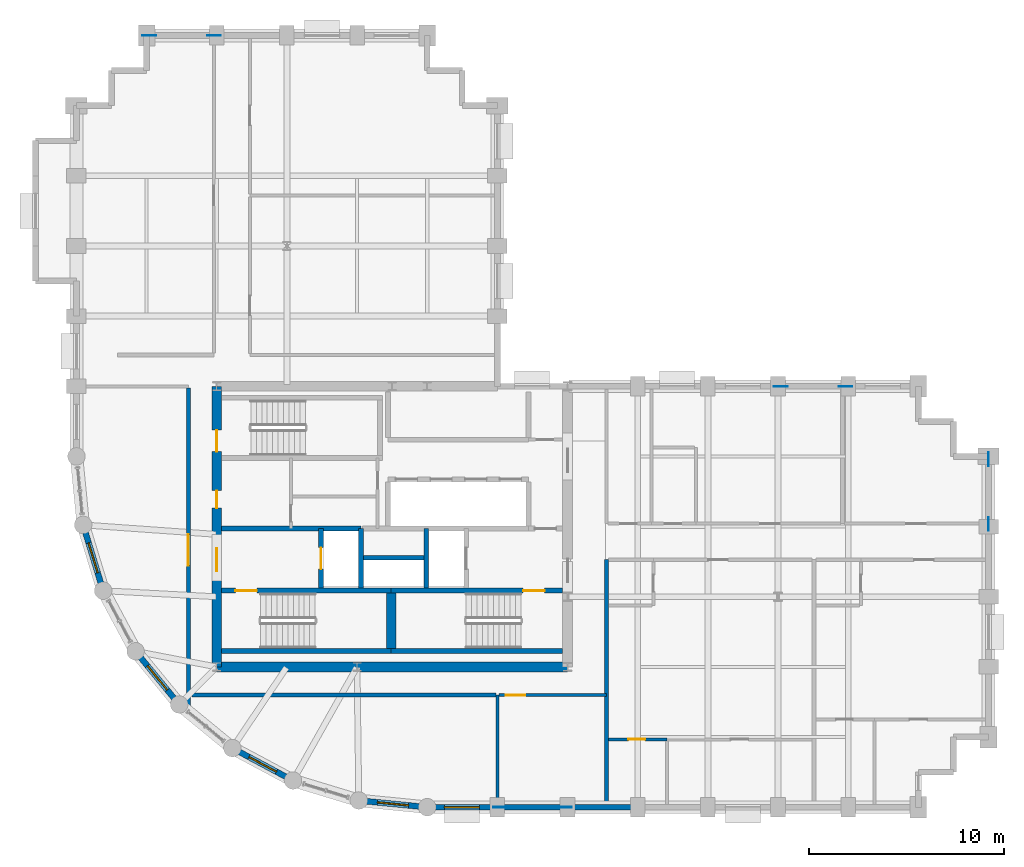
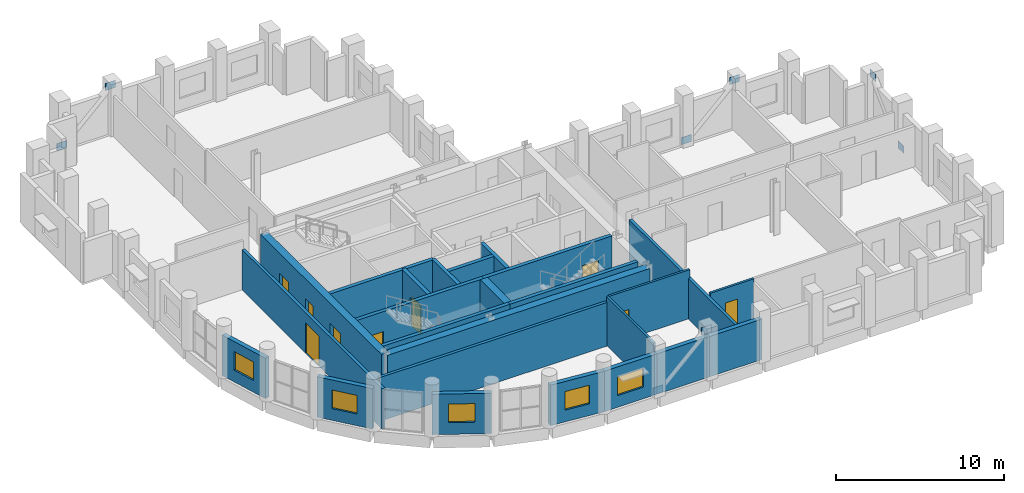
# One storey, part 8 of 14: 25 walls, 9 doors, 8 plates, 5 windows, 14 openings.
"""IFC4 building model written with IfcOpenShell, lengths in metres."""

from ifc_helpers import new_model, si_unit, direction, frame, frame_2d, origin, origin_2d, place, context, subcontext, project, spatial, rectangle, extrude, material, layer, layer_set, type_object, element, fill, save


model = new_model("IFC4")

# Units and contexts
model_context = context("Model", 3, precision=1e-05, world=origin(), true_north=direction((0.0, 1.0)))
body_context = subcontext(model_context, "Body", "Model", "MODEL_VIEW")
ifc_project = project(units=[si_unit("LENGTHUNIT", "METRE"), si_unit("AREAUNIT", "SQUARE_METRE"), si_unit("VOLUMEUNIT", "CUBIC_METRE"), si_unit("PLANEANGLEUNIT", "RADIAN"), si_unit("MASSUNIT", "GRAM", prefix="KILO")], contexts=[model_context])

# Site, building, storey
site_placement = place(None, origin())
site = spatial("IfcSite", under=ifc_project, at=site_placement, CompositionType="ELEMENT")
building_placement = place(site_placement, origin())
building = spatial("IfcBuilding", under=site, at=building_placement, Name="Solnavia Interchange Tower", CompositionType="ELEMENT")
storey_placement = place(building_placement, frame((0.0, 0.0, 158.0)))
storey = spatial("IfcBuildingStorey", under=building, at=storey_placement, Name="L39", CompositionType="ELEMENT", Elevation=158.0)

# Plates
ifc_material_1 = material(Name="Steel S460", Category="steel")
ifc_layer_1 = layer(ifc_material_1, 0.030029296875)
ifc_layer_set_1 = layer_set([ifc_layer_1], Name="Steel S460")
plate_type = type_object("IfcPlateType", Name="Plate-Gusset-700x520x30", PredefinedType="USERDEFINED", material=ifc_layer_set_1)
for number, where, z_axis, x_axis, name in (
    (1, (28.93994140625, 3.60009765625, -0.080078125), (0.0, 0.0, 1.0), (1.0, 0.0, 0.0), "PLT-L39-GP01 Perimeter brace gusset plate"),
    (2, (32.260009765625, 3.60009765625, 3.110107421875), (0.0, 0.0, 1.0), (1.0, 0.0, 0.0), "PLT-L39-GP02 Perimeter brace gusset plate"),
    (3, (54.0, 18.139892578125, -0.080078125), (0.0, 0.0, 1.0), (0.0, 1.0, 0.0), "PLT-L39-GP03 Perimeter brace gusset plate"),
    (4, (54.0, 21.4599609375, 3.110107421875), (0.0, 0.0, 1.0), (0.0, 1.0, 0.0), "PLT-L39-GP04 Perimeter brace gusset plate"),
    (5, (10.93994140625, 43.199951171875, -0.080078125), (0.0, 0.0, 1.0), (1.0, 0.0, 0.0), "PLT-L39-GP05 Perimeter brace gusset plate"),
    (6, (14.260009765625, 43.199951171875, 3.110107421875), (0.0, 0.0, 1.0), (1.0, 0.0, 0.0), "PLT-L39-GP06 Perimeter brace gusset plate"),
    (7, (43.340087890625, 25.199951171875, -0.080078125), (0.0, 0.0, 1.0), (1.0, 0.0, 0.0), "PLT-L39-GP07 Perimeter brace gusset plate"),
    (8, (46.659912109375, 25.199951171875, 3.110107421875), (0.0, 0.0, 1.0), (1.0, 0.0, 0.0), "PLT-L39-GP08 Perimeter brace gusset plate"),
):
    element("IfcPlate", number, at=place(storey_placement, frame(where, z_axis=z_axis, x_axis=x_axis)), inside=storey, type_object=plate_type, Name=name, ObjectType="GUSSET PLATE", PredefinedType="USERDEFINED", context=body_context, shape_type="SweptSolid", body=[
        extrude(rectangle(XDim=0.699951171875, YDim=0.030029296875, at=origin_2d()), origin(), (0.0, 0.0, 1.0), 0.52001953125),
    ])

# Wall, opening, door
ifc_material_2 = material(Name="Gypsum Acoustic Twin-Stud & Mineral Wool", Category="gypsum")
ifc_layer_2 = layer(ifc_material_2, 0.199951171875)
ifc_layer_set_2 = layer_set([ifc_layer_2], Name="Gypsum Acoustic Twin-Stud & Mineral Wool")
wall_type_1 = type_object("IfcWallType", Name="Wall-ApartmentParty-200", PredefinedType="PARTITIONING", material=ifc_layer_set_2)
wall_1_placement = place(storey_placement, frame((12.949951171875, 8.47998046875, 0.0), z_axis=(0.0, 0.0, 1.0), x_axis=(0.0, 1.0, 0.0)))
wall_1 = element("IfcWall", 9, at=wall_1_placement, inside=storey, type_object=wall_type_1, Name="PTW-L39-09 Interior partition wall", PredefinedType="PARTITIONING", context=body_context, shape_type="SweptSolid", body=[
    extrude(rectangle(XDim=16.64111328125, YDim=0.199951171875, at=frame_2d((8.320556640625, 0.0))), origin(), (0.0, 0.0, 1.0), 2.929931640625),
])
opening_1_placement = place(wall_1_placement, frame((7.52001953125, 0.0, 0.0)))
opening_1 = element("IfcOpeningElement", 10, at=opening_1_placement, cuts=wall_1, Name="Opening DR-08", PredefinedType="OPENING", context=body_context, shape_type="SweptSolid", body=[
    extrude(rectangle(XDim=1.60009765625, YDim=2.199951171875, at=frame_2d((0.800048828125, 1.10009765625))), frame((0.0, 0.10986328125, 0.0), z_axis=(0.0, -1.0, 0.0), x_axis=(1.0, 0.0, 0.0)), (0.0, 0.0, 1.0), 0.219970703125),
])
ifc_material_3 = material(Name="Thermally Broken Aluminium & Toughened Glass", Category="aluminium")
door_type_1 = type_object("IfcDoorType", Name="Door-RetailDouble-1600x2200", OperationType="DOUBLE_DOOR_SINGLE_SWING", PredefinedType="DOOR", material=ifc_material_3)
door_1_placement = place(opening_1_placement, origin())
door_1 = element("IfcDoor", 11, at=door_1_placement, inside=storey, type_object=door_type_1, Name="DR-L39-03 Interior room door", OperationType="DOUBLE_DOOR_SINGLE_SWING", OverallHeight=2.199951171875, OverallWidth=1.60009765625, PredefinedType="DOOR", context=body_context, shape_type="SweptSolid", body=[
    extrude(rectangle(XDim=1.60009765625, YDim=2.199951171875, at=frame_2d((0.800048828125, 1.10009765625))), frame((0.0, 0.02490234375, 0.0), z_axis=(0.0, -1.0, 0.0), x_axis=(1.0, 0.0, 0.0)), (0.0, 0.0, 1.0), 0.050048828125),
])
fill(opening_1, door_1)

# Walls
wall_2_placement = place(storey_placement, frame((13.1298828125, 9.35009765625, 0.0), z_axis=(0.0, 0.0, 1.0), x_axis=(1.0, 0.0, 0.0)))
element("IfcWall", 12, at=wall_2_placement, inside=storey, type_object=wall_type_1, Name="PTW-L39-10 Interior partition wall", PredefinedType="PARTITIONING", context=body_context, shape_type="SweptSolid", body=[
    extrude(rectangle(XDim=15.591064453125, YDim=0.199951171875, at=frame_2d((7.79541015625, 0.0))), origin(), (0.0, 0.0, 1.0), 3.169921875),
])
wall_3_placement = place(storey_placement, frame((34.39990234375, 3.75390625, 0.0), z_axis=(0.0, 0.0, 1.0), x_axis=(0.0, 1.0, 0.0)))
element("IfcWall", 13, at=wall_3_placement, inside=storey, type_object=wall_type_1, Name="PTW-L39-12 Interior partition wall", PredefinedType="PARTITIONING", context=body_context, shape_type="SweptSolid", body=[
    extrude(rectangle(XDim=12.546142578125, YDim=0.199951171875, at=frame_2d((6.27294921875, 0.0))), origin(), (0.0, 0.0, 1.0), 2.929931640625),
])

# Wall, opening, window
ifc_material_4 = material(Name="Concrete C40/50", Category="concrete")
ifc_layer_3 = layer(ifc_material_4, 0.300048828125)
ifc_layer_set_3 = layer_set([ifc_layer_3], Name="Concrete C40/50")
wall_type_2 = type_object("IfcWallType", Name="Wall-ExtSpandrel-300", PredefinedType="STANDARD", material=ifc_layer_set_3)
wall_4_placement = place(storey_placement, frame((28.800048828125, 3.60009765625, 0.0), z_axis=(0.0, 0.0, 1.0), x_axis=(-1.0, 0.0, 0.0)))
wall_4 = element("IfcWall", 14, at=wall_4_placement, inside=storey, type_object=wall_type_2, Name="EXW-L39-01 Exterior precast spandrel wall", PredefinedType="STANDARD", context=body_context, shape_type="SweptSolid", body=[
    extrude(rectangle(XDim=3.60009765625, YDim=0.300048828125, at=frame_2d((1.800048828125, 0.0))), origin(), (0.0, 0.0, 1.0), 2.929931640625),
])
opening_2_placement = place(wall_4_placement, frame((0.925048828125, 0.0, 0.85009765625)))
opening_2 = element("IfcOpeningElement", 15, at=opening_2_placement, cuts=wall_4, Name="Opening WIN-02", PredefinedType="OPENING", context=body_context, shape_type="SweptSolid", body=[
    extrude(rectangle(XDim=1.800048828125, YDim=1.35009765625, at=frame_2d((0.89990234375, 0.675048828125))), frame((0.0, 0.16015625, 0.0), z_axis=(0.0, -1.0, 0.0), x_axis=(1.0, 0.0, 0.0)), (0.0, 0.0, 1.0), 0.320068359375),
])
ifc_material_5 = material(Name="Thermal-Break Aluminium & Low-E Glass", Category="aluminium")
window_type_1 = type_object("IfcWindowType", Name="Window-Ribbon-1800x1350", PartitioningType="SINGLE_PANEL", PredefinedType="WINDOW", material=ifc_material_5)
window_1_placement = place(opening_2_placement, origin())
window_1 = element("IfcWindow", 16, at=window_1_placement, inside=storey, type_object=window_type_1, Name="WIN-L39-01 Facade ribbon window", OverallHeight=1.35009765625, OverallWidth=1.800048828125, PartitioningType="SINGLE_PANEL", PredefinedType="WINDOW", context=body_context, shape_type="SweptSolid", body=[
    extrude(rectangle(XDim=1.800048828125, YDim=1.35009765625, at=frame_2d((0.89990234375, 0.675048828125))), frame((0.0, 0.030029296875, 0.0), z_axis=(0.0, -1.0, 0.0), x_axis=(1.0, 0.0, 0.0)), (0.0, 0.0, 1.0), 0.06005859375),
])
fill(opening_2, window_1)

# Walls
wall_5_placement = place(storey_placement, frame((32.39990234375, 3.60009765625, 0.0), z_axis=(0.0, 0.0, 1.0), x_axis=(-1.0, 0.0, 0.0)))
element("IfcWall", 17, at=wall_5_placement, inside=storey, type_object=wall_type_2, Name="EXW-L39-02 Exterior precast spandrel wall", PredefinedType="STANDARD", context=body_context, shape_type="SweptSolid", body=[
    extrude(rectangle(XDim=3.599853515625, YDim=0.300048828125, at=frame_2d((1.7998046875, 0.0))), origin(), (0.0, 0.0, 1.0), 2.929931640625),
])
wall_6_placement = place(storey_placement, frame((36.0, 3.60009765625, 0.0), z_axis=(0.0, 0.0, 1.0), x_axis=(-1.0, 0.0, 0.0)))
element("IfcWall", 18, at=wall_6_placement, inside=storey, type_object=wall_type_2, Name="EXW-L39-03 Exterior precast spandrel wall", PredefinedType="STANDARD", context=body_context, shape_type="SweptSolid", body=[
    extrude(rectangle(XDim=3.60009765625, YDim=0.300048828125, at=frame_2d((1.800048828125, 0.0))), origin(), (0.0, 0.0, 1.0), 2.929931640625),
])

# Wall, opening, window
wall_7_placement = place(storey_placement, frame((8.570068359375, 14.7119140625, 0.0), z_axis=(0.0, 0.0, 1.0), x_axis=(-0.290305086481, 0.956934144423, 0.0)))
wall_7 = element("IfcWall", 19, at=wall_7_placement, inside=storey, type_object=wall_type_2, Name="EXW-L39-52 Exterior precast spandrel wall", PredefinedType="STANDARD", context=body_context, shape_type="SweptSolid", body=[
    extrude(rectangle(XDim=3.52783203125, YDim=0.300048828125, at=frame_2d((1.763916015625, 0.0))), origin(), (0.0, 0.0, 1.0), 2.929931640625),
])
opening_3_placement = place(wall_7_placement, frame((0.964111328125, 0.0, 0.85009765625)))
opening_3 = element("IfcOpeningElement", 20, at=opening_3_placement, cuts=wall_7, Name="Opening WIN-04", PredefinedType="OPENING", context=body_context, shape_type="SweptSolid", body=[
    extrude(rectangle(XDim=1.60009765625, YDim=1.35009765625, at=frame_2d((0.800048828125, 0.675048828125))), frame((0.0, 0.16015625, 0.0), z_axis=(0.0, -1.0, 0.0), x_axis=(1.0, 0.0, 0.0)), (0.0, 0.0, 1.0), 0.320068359375),
])
window_type_2 = type_object("IfcWindowType", Name="Window-Drum-1600x1350", PartitioningType="SINGLE_PANEL", PredefinedType="WINDOW", material=ifc_material_5)
window_2_placement = place(opening_3_placement, origin())
window_2 = element("IfcWindow", 21, at=window_2_placement, inside=storey, type_object=window_type_2, Name="WIN-L39-52 Facade ribbon window", OverallHeight=1.35009765625, OverallWidth=1.60009765625, PartitioningType="SINGLE_PANEL", PredefinedType="WINDOW", context=body_context, shape_type="SweptSolid", body=[
    extrude(rectangle(XDim=1.60009765625, YDim=1.35009765625, at=frame_2d((0.800048828125, 0.675048828125))), frame((0.0, 0.030029296875, 0.0), z_axis=(0.0, -1.0, 0.0), x_axis=(1.0, 0.0, 0.0)), (0.0, 0.0, 1.0), 0.06005859375),
])
fill(opening_3, window_2)

wall_8_placement = place(storey_placement, frame((12.471923828125, 8.8720703125, 0.0), z_axis=(0.0, 0.0, 1.0), x_axis=(-0.634258295121, 0.773121216285, 0.0)))
wall_8 = element("IfcWall", 22, at=wall_8_placement, inside=storey, type_object=wall_type_2, Name="EXW-L39-54 Exterior precast spandrel wall", PredefinedType="STANDARD", context=body_context, shape_type="SweptSolid", body=[
    extrude(rectangle(XDim=3.528564453125, YDim=0.300048828125, at=frame_2d((1.76416015625, 0.0))), origin(), (0.0, 0.0, 1.0), 2.929931640625),
])
opening_4_placement = place(wall_8_placement, frame((0.964111328125, 0.0, 0.85009765625)))
opening_4 = element("IfcOpeningElement", 23, at=opening_4_placement, cuts=wall_8, Name="Opening WIN-04", PredefinedType="OPENING", context=body_context, shape_type="SweptSolid", body=[
    extrude(rectangle(XDim=1.60009765625, YDim=1.35009765625, at=frame_2d((0.800048828125, 0.675048828125))), frame((0.0, 0.16015625, 0.0), z_axis=(0.0, -1.0, 0.0), x_axis=(1.0, 0.0, 0.0)), (0.0, 0.0, 1.0), 0.320068359375),
])
window_3_placement = place(opening_4_placement, origin())
window_3 = element("IfcWindow", 24, at=window_3_placement, inside=storey, type_object=window_type_2, Name="WIN-L39-54 Facade ribbon window", OverallHeight=1.35009765625, OverallWidth=1.60009765625, PartitioningType="SINGLE_PANEL", PredefinedType="WINDOW", context=body_context, shape_type="SweptSolid", body=[
    extrude(rectangle(XDim=1.60009765625, YDim=1.35009765625, at=frame_2d((0.800048828125, 0.675048828125))), frame((0.0, 0.030029296875, 0.0), z_axis=(0.0, -1.0, 0.0), x_axis=(1.0, 0.0, 0.0)), (0.0, 0.0, 1.0), 0.06005859375),
])
fill(opening_4, window_3)

wall_9_placement = place(storey_placement, frame((18.31201171875, 4.969970703125, 0.0), z_axis=(0.0, 0.0, 1.0), x_axis=(-0.881846862014, 0.471535907389, 0.0)))
wall_9 = element("IfcWall", 25, at=wall_9_placement, inside=storey, type_object=wall_type_2, Name="EXW-L39-56 Exterior precast spandrel wall", PredefinedType="STANDARD", context=body_context, shape_type="SweptSolid", body=[
    extrude(rectangle(XDim=3.529052734375, YDim=0.300048828125, at=frame_2d((1.7646484375, 0.0))), origin(), (0.0, 0.0, 1.0), 2.929931640625),
])
opening_5_placement = place(wall_9_placement, frame((0.964111328125, 0.0, 0.85009765625)))
opening_5 = element("IfcOpeningElement", 26, at=opening_5_placement, cuts=wall_9, Name="Opening WIN-04", PredefinedType="OPENING", context=body_context, shape_type="SweptSolid", body=[
    extrude(rectangle(XDim=1.60009765625, YDim=1.35009765625, at=frame_2d((0.800048828125, 0.675048828125))), frame((0.0, 0.16015625, 0.0), z_axis=(0.0, -1.0, 0.0), x_axis=(1.0, 0.0, 0.0)), (0.0, 0.0, 1.0), 0.320068359375),
])
window_4_placement = place(opening_5_placement, origin())
window_4 = element("IfcWindow", 27, at=window_4_placement, inside=storey, type_object=window_type_2, Name="WIN-L39-56 Facade ribbon window", OverallHeight=1.35009765625, OverallWidth=1.60009765625, PartitioningType="SINGLE_PANEL", PredefinedType="WINDOW", context=body_context, shape_type="SweptSolid", body=[
    extrude(rectangle(XDim=1.60009765625, YDim=1.35009765625, at=frame_2d((0.800048828125, 0.675048828125))), frame((0.0, 0.030029296875, 0.0), z_axis=(0.0, -1.0, 0.0), x_axis=(1.0, 0.0, 0.0)), (0.0, 0.0, 1.0), 0.06005859375),
])
fill(opening_5, window_4)

wall_10_placement = place(storey_placement, frame((25.199951171875, 3.60009765625, 0.0), z_axis=(0.0, 0.0, 1.0), x_axis=(-0.995183369056, 0.098030923459, 0.0)))
wall_10 = element("IfcWall", 28, at=wall_10_placement, inside=storey, type_object=wall_type_2, Name="EXW-L39-58 Exterior precast spandrel wall", PredefinedType="STANDARD", context=body_context, shape_type="SweptSolid", body=[
    extrude(rectangle(XDim=3.529052734375, YDim=0.300048828125, at=frame_2d((1.7646484375, 0.0))), origin(), (0.0, 0.0, 1.0), 2.929931640625),
])
opening_6_placement = place(wall_10_placement, frame((0.965087890625, 0.0, 0.85009765625)))
opening_6 = element("IfcOpeningElement", 29, at=opening_6_placement, cuts=wall_10, Name="Opening WIN-04", PredefinedType="OPENING", context=body_context, shape_type="SweptSolid", body=[
    extrude(rectangle(XDim=1.60009765625, YDim=1.35009765625, at=frame_2d((0.800048828125, 0.675048828125))), frame((0.0, 0.16015625, 0.0), z_axis=(0.0, -1.0, 0.0), x_axis=(1.0, 0.0, 0.0)), (0.0, 0.0, 1.0), 0.320068359375),
])
window_5_placement = place(opening_6_placement, origin())
window_5 = element("IfcWindow", 30, at=window_5_placement, inside=storey, type_object=window_type_2, Name="WIN-L39-58 Facade ribbon window", OverallHeight=1.35009765625, OverallWidth=1.60009765625, PartitioningType="SINGLE_PANEL", PredefinedType="WINDOW", context=body_context, shape_type="SweptSolid", body=[
    extrude(rectangle(XDim=1.60009765625, YDim=1.35009765625, at=frame_2d((0.800048828125, 0.675048828125))), frame((0.0, 0.030029296875, 0.0), z_axis=(0.0, -1.0, 0.0), x_axis=(1.0, 0.0, 0.0)), (0.0, 0.0, 1.0), 0.06005859375),
])
fill(opening_6, window_5)

# Wall
ifc_material_6 = material(Name="Gypsum Plasterboard & Steel Stud", Category="steel")
ifc_layer_4 = layer(ifc_material_6, 0.14990234375)
ifc_layer_set_4 = layer_set([ifc_layer_4], Name="Gypsum Plasterboard & Steel Stud")
wall_type_3 = type_object("IfcWallType", Name="Wall-Partition-150", PredefinedType="PARTITIONING", material=ifc_layer_set_4)
wall_11_placement = place(storey_placement, frame((28.800048828125, 9.35009765625, 0.0), z_axis=(0.0, 0.0, 1.0), x_axis=(0.0, -1.0, 0.0)))
element("IfcWall", 31, at=wall_11_placement, inside=storey, type_object=wall_type_3, Name="PTW-L39-08 Interior partition wall", PredefinedType="PARTITIONING", context=body_context, shape_type="SweptSolid", body=[
    extrude(rectangle(XDim=5.59619140625, YDim=0.14990234375, at=frame_2d((2.798095703125, 0.0))), origin(), (0.0, 0.0, 1.0), 3.534912109375),
])

# Wall, opening, door
wall_12_placement = place(storey_placement, frame((28.87890625, 9.35009765625, 0.0), z_axis=(0.0, 0.0, 1.0), x_axis=(1.0, 0.0, 0.0)))
wall_12 = element("IfcWall", 32, at=wall_12_placement, inside=storey, type_object=wall_type_3, Name="PTW-L39-11 Interior partition wall", PredefinedType="PARTITIONING", context=body_context, shape_type="SweptSolid", body=[
    extrude(rectangle(XDim=5.52099609375, YDim=0.14990234375, at=frame_2d((2.760498046875, 0.0))), origin(), (0.0, 0.0, 1.0), 3.534912109375),
])
opening_7_placement = place(wall_12_placement, frame((0.360107421875, 0.0, 0.0)))
opening_7 = element("IfcOpeningElement", 33, at=opening_7_placement, cuts=wall_12, Name="Opening DR-07", PredefinedType="OPENING", context=body_context, shape_type="SweptSolid", body=[
    extrude(rectangle(XDim=1.0, YDim=2.10009765625, at=frame_2d((0.5, 1.050048828125))), frame((0.0, 0.0849609375, 0.0), z_axis=(0.0, -1.0, 0.0), x_axis=(1.0, 0.0, 0.0)), (0.0, 0.0, 1.0), 0.169921875),
])
ifc_material_7 = material(Name="Timber & Acoustic Glazed Office Door", Category="wood")
door_type_2 = type_object("IfcDoorType", Name="Door-Office-1000x2100", OperationType="SINGLE_SWING_RIGHT", PredefinedType="DOOR", material=ifc_material_7)
door_2_placement = place(opening_7_placement, origin())
door_2 = element("IfcDoor", 34, at=door_2_placement, inside=storey, type_object=door_type_2, Name="DR-L39-04 Interior room door", OperationType="SINGLE_SWING_LEFT", OverallHeight=2.10009765625, OverallWidth=1.0, PredefinedType="DOOR", context=body_context, shape_type="SweptSolid", body=[
    extrude(rectangle(XDim=1.0, YDim=2.10009765625, at=frame_2d((0.5, 1.050048828125))), frame((0.0, 0.02490234375, 0.0), z_axis=(0.0, -1.0, 0.0), x_axis=(1.0, 0.0, 0.0)), (0.0, 0.0, 1.0), 0.050048828125),
])
fill(opening_7, door_2)

# Wall
ifc_layer_5 = layer(ifc_material_4, 0.25)
ifc_layer_set_5 = layer_set([ifc_layer_5], Name="Concrete C40/50")
wall_type_4 = type_object("IfcWallType", Name="Wall-ShaftCore-250", PredefinedType="SHEAR", material=ifc_layer_set_5)
wall_13_placement = place(storey_placement, frame((14.64990234375, 11.625, 0.0), z_axis=(0.0, 0.0, 1.0), x_axis=(1.0, 0.0, 0.0)))
element("IfcWall", 35, at=wall_13_placement, inside=storey, type_object=wall_type_4, Name="SHW-L39-ST1S Core shear wall", PredefinedType="SHEAR", context=body_context, shape_type="SweptSolid", body=[
    extrude(rectangle(XDim=8.7001953125, YDim=0.25, at=frame_2d((4.35009765625, 0.0))), origin(), (0.0, 0.0, 1.0), 3.550048828125),
])

# Wall, opening, door
wall_14_placement = place(storey_placement, frame((14.64990234375, 14.715087890625, 0.0), z_axis=(0.0, 0.0, 1.0), x_axis=(1.0, 0.0, 0.0)))
wall_14 = element("IfcWall", 36, at=wall_14_placement, inside=storey, type_object=wall_type_4, Name="SHW-L39-ST1N Core shear wall", PredefinedType="SHEAR", context=body_context, shape_type="SweptSolid", body=[
    extrude(rectangle(XDim=8.7001953125, YDim=0.25, at=frame_2d((4.35009765625, 0.0))), origin(), (0.0, 0.0, 1.0), 3.550048828125),
])
opening_8_placement = place(wall_14_placement, frame((0.705078125, 0.0, 0.0)))
opening_8 = element("IfcOpeningElement", 37, at=opening_8_placement, cuts=wall_14, Name="Opening DR-01", PredefinedType="OPENING", context=body_context, shape_type="SweptSolid", body=[
    extrude(rectangle(XDim=1.10009765625, YDim=2.10009765625, at=frame_2d((0.550048828125, 1.050048828125))), frame((0.0, 0.135009765625, 0.0), z_axis=(0.0, -1.0, 0.0), x_axis=(1.0, 0.0, 0.0)), (0.0, 0.0, 1.0), 0.27001953125),
])
ifc_material_8 = material(Name="Steel Fire-Rated Leaf & Frame", Category="steel")
door_type_3 = type_object("IfcDoorType", Name="Door-StairFire-1100x2100", OperationType="SINGLE_SWING_LEFT", PredefinedType="DOOR", material=ifc_material_8)
door_3_placement = place(opening_8_placement, origin())
door_3 = element("IfcDoor", 38, at=door_3_placement, inside=storey, type_object=door_type_3, Name="DR-L39-ST1 Core fire door", OperationType="SINGLE_SWING_LEFT", OverallHeight=2.10009765625, OverallWidth=1.10009765625, PredefinedType="DOOR", context=body_context, shape_type="SweptSolid", body=[
    extrude(rectangle(XDim=1.10009765625, YDim=2.10009765625, at=frame_2d((0.550048828125, 1.050048828125))), frame((0.0, 0.02490234375, 0.0), z_axis=(0.0, -1.0, 0.0), x_axis=(1.0, 0.0, 0.0)), (0.0, 0.0, 1.0), 0.050048828125),
])
fill(opening_8, door_3)

# Wall
wall_15_placement = place(storey_placement, frame((23.35009765625, 11.625, 0.0), z_axis=(0.0, 0.0, 1.0), x_axis=(1.0, 0.0, 0.0)))
element("IfcWall", 39, at=wall_15_placement, inside=storey, type_object=wall_type_4, Name="SHW-L39-ST2S Core shear wall", PredefinedType="SHEAR", context=body_context, shape_type="SweptSolid", body=[
    extrude(rectangle(XDim=8.7998046875, YDim=0.25, at=frame_2d((4.39990234375, 0.0))), origin(), (0.0, 0.0, 1.0), 3.550048828125),
])

# Wall, opening, door
wall_16_placement = place(storey_placement, frame((23.35009765625, 14.715087890625, 0.0), z_axis=(0.0, 0.0, 1.0), x_axis=(1.0, 0.0, 0.0)))
wall_16 = element("IfcWall", 40, at=wall_16_placement, inside=storey, type_object=wall_type_4, Name="SHW-L39-ST2N Core shear wall", PredefinedType="SHEAR", context=body_context, shape_type="SweptSolid", body=[
    extrude(rectangle(XDim=8.7998046875, YDim=0.25, at=frame_2d((4.39990234375, 0.0))), origin(), (0.0, 0.0, 1.0), 3.550048828125),
])
opening_9_placement = place(wall_16_placement, frame((6.77490234375, 0.0, 0.0)))
opening_9 = element("IfcOpeningElement", 41, at=opening_9_placement, cuts=wall_16, Name="Opening DR-01", PredefinedType="OPENING", context=body_context, shape_type="SweptSolid", body=[
    extrude(rectangle(XDim=1.10009765625, YDim=2.10009765625, at=frame_2d((0.550048828125, 1.050048828125))), frame((0.0, 0.135009765625, 0.0), z_axis=(0.0, -1.0, 0.0), x_axis=(1.0, 0.0, 0.0)), (0.0, 0.0, 1.0), 0.27001953125),
])
door_4_placement = place(opening_9_placement, origin())
door_4 = element("IfcDoor", 42, at=door_4_placement, inside=storey, type_object=door_type_3, Name="DR-L39-ST2 Core fire door", OperationType="SINGLE_SWING_LEFT", OverallHeight=2.10009765625, OverallWidth=1.10009765625, PredefinedType="DOOR", context=body_context, shape_type="SweptSolid", body=[
    extrude(rectangle(XDim=1.10009765625, YDim=2.10009765625, at=frame_2d((0.550048828125, 1.050048828125))), frame((0.0, 0.02490234375, 0.0), z_axis=(0.0, -1.0, 0.0), x_axis=(1.0, 0.0, 0.0)), (0.0, 0.0, 1.0), 0.050048828125),
])
fill(opening_9, door_4)

# Wall
ifc_layer_6 = layer(ifc_material_4, 0.25)
ifc_layer_set_6 = layer_set([ifc_layer_6], Name="Concrete C40/50")
wall_type_5 = type_object("IfcWallType", Name="Wall-ShaftPart-250", PredefinedType="PARTITIONING", material=ifc_layer_set_6)
wall_17_placement = place(storey_placement, frame((14.64990234375, 17.89990234375, 0.0), z_axis=(0.0, 0.0, 1.0), x_axis=(1.0, 0.0, 0.0)))
element("IfcWall", 43, at=wall_17_placement, inside=storey, type_object=wall_type_5, Name="SHW-L39-FFLW-N Core shaft wall", PredefinedType="PARTITIONING", context=body_context, shape_type="SweptSolid", body=[
    extrude(rectangle(XDim=7.150146484375, YDim=0.25, at=frame_2d((3.5751953125, 0.0))), origin(), (0.0, 0.0, 1.0), 3.534912109375),
])

# Wall, opening, door
wall_18_placement = place(storey_placement, frame((19.75, 14.840087890625, 0.0), z_axis=(0.0, 0.0, 1.0), x_axis=(0.0, 1.0, 0.0)))
wall_18 = element("IfcWall", 44, at=wall_18_placement, inside=storey, type_object=wall_type_5, Name="SHW-L39-FFL1-W Core shaft wall", PredefinedType="PARTITIONING", context=body_context, shape_type="SweptSolid", body=[
    extrude(rectangle(XDim=3.059814453125, YDim=0.25, at=frame_2d((1.52978515625, 0.0))), origin(), (0.0, 0.0, 1.0), 3.534912109375),
])
opening_10_placement = place(wall_18_placement, frame((0.97998046875, 0.0, 0.0)))
opening_10 = element("IfcOpeningElement", 45, at=opening_10_placement, cuts=wall_18, Name="Opening LD-01", PredefinedType="OPENING", context=body_context, shape_type="SweptSolid", body=[
    extrude(rectangle(XDim=1.10009765625, YDim=2.10009765625, at=frame_2d((0.550048828125, 1.050048828125))), frame((0.0, 0.135009765625, 0.0), z_axis=(0.0, -1.0, 0.0), x_axis=(1.0, 0.0, 0.0)), (0.0, 0.0, 1.0), 0.27001953125),
])
ifc_material_9 = material(Name="Brushed Stainless Steel Sliding Door", Category="steel")
door_type_4 = type_object("IfcDoorType", Name="Door-LiftLanding-1100x2100", OperationType="SLIDING_TO_LEFT", PredefinedType="DOOR", material=ifc_material_9)
door_5_placement = place(opening_10_placement, origin())
door_5 = element("IfcDoor", 46, at=door_5_placement, inside=storey, type_object=door_type_4, Name="LD-L39-FFL1 Lift landing sliding door", OperationType="SLIDING_TO_LEFT", OverallHeight=2.10009765625, OverallWidth=1.10009765625, PredefinedType="DOOR", context=body_context, shape_type="SweptSolid", body=[
    extrude(rectangle(XDim=1.10009765625, YDim=2.10009765625, at=frame_2d((0.550048828125, 1.050048828125))), frame((0.0, 0.02490234375, 0.0), z_axis=(0.0, -1.0, 0.0), x_axis=(1.0, 0.0, 0.0)), (0.0, 0.0, 1.0), 0.050048828125),
])
fill(opening_10, door_5)

# Walls
for number, where, z_axis, x_axis, name in (
    (47, (21.800048828125, 14.840087890625, 0.0), (0.0, 0.0, 1.0), (0.0, 1.0, 0.0), "SHW-L39-FFL1-E Core shaft wall"),
    (48, (25.14990234375, 14.840087890625, 0.0), (0.0, 0.0, 1.0), (0.0, 1.0, 0.0), "SHW-L39-FFL2-W Core shaft wall"),
):
    element("IfcWall", number, at=place(storey_placement, frame(where, z_axis=z_axis, x_axis=x_axis)), inside=storey, type_object=wall_type_5, Name=name, PredefinedType="PARTITIONING", context=body_context, shape_type="SweptSolid", body=[
        extrude(rectangle(XDim=3.059814453125, YDim=0.25, at=frame_2d((1.52978515625, 0.0))), origin(), (0.0, 0.0, 1.0), 3.534912109375),
    ])
wall_19_placement = place(storey_placement, frame((21.800048828125, 16.39990234375, 0.0), z_axis=(0.0, 0.0, 1.0), x_axis=(1.0, 0.0, 0.0)))
element("IfcWall", 49, at=wall_19_placement, inside=storey, type_object=wall_type_5, Name="SHW-L39-MEP-N Core shaft wall", PredefinedType="PARTITIONING", context=body_context, shape_type="SweptSolid", body=[
    extrude(rectangle(XDim=3.349853515625, YDim=0.25, at=frame_2d((1.6748046875, 0.0))), origin(), (0.0, 0.0, 1.0), 3.534912109375),
])
ifc_material_10 = material(Name="Concrete C60/75", Category="concrete")
ifc_layer_7 = layer(ifc_material_10, 0.5)
ifc_layer_set_7 = layer_set([ifc_layer_7], Name="Concrete C60/75")
wall_type_6 = type_object("IfcWallType", Name="Wall-ShearCore-500", PredefinedType="SHEAR", material=ifc_layer_set_7)
wall_20_placement = place(storey_placement, frame((14.39990234375, 10.800048828125, 0.0), z_axis=(0.0, 0.0, 1.0), x_axis=(1.0, 0.0, 0.0)))
element("IfcWall", 50, at=wall_20_placement, inside=storey, type_object=wall_type_6, Name="CRW-L39-S Core shear wall", PredefinedType="SHEAR", context=body_context, shape_type="SweptSolid", body=[
    extrude(rectangle(XDim=18.0, YDim=0.5, at=frame_2d((9.0, 0.0))), origin(), (0.0, 0.0, 1.0), 3.550048828125),
])

# Wall, openings, doors
wall_21_placement = place(storey_placement, frame((14.39990234375, 10.800048828125, 0.0), z_axis=(0.0, 0.0, 1.0), x_axis=(0.0, 1.0, 0.0)))
wall_21 = element("IfcWall", 51, at=wall_21_placement, inside=storey, type_object=wall_type_6, Name="CRW-L39-W Core shear wall", PredefinedType="SHEAR", context=body_context, shape_type="SweptSolid", body=[
    extrude(rectangle(XDim=14.39990234375, YDim=0.5, at=frame_2d((7.199951171875, 0.0))), origin(), (0.0, 0.0, 1.0), 3.550048828125),
])
opening_11_placement = place(wall_21_placement, frame((11.050048828125, 0.0, 0.0)))
opening_11 = element("IfcOpeningElement", 52, at=opening_11_placement, cuts=wall_21, Name="Opening DR-01", PredefinedType="OPENING", context=body_context, shape_type="SweptSolid", body=[
    extrude(rectangle(XDim=1.10009765625, YDim=2.10009765625, at=frame_2d((0.550048828125, 1.050048828125))), frame((0.0, 0.260009765625, 0.0), z_axis=(0.0, -1.0, 0.0), x_axis=(1.0, 0.0, 0.0)), (0.0, 0.0, 1.0), 0.52001953125),
])
opening_12_placement = place(wall_21_placement, frame((4.89990234375, 0.0, 0.0)))
opening_12 = element("IfcOpeningElement", 53, at=opening_12_placement, cuts=wall_21, Name="Opening DR-02", PredefinedType="OPENING", context=body_context, shape_type="SweptSolid", body=[
    extrude(rectangle(XDim=1.199951171875, YDim=2.10009765625, at=frame_2d((0.60009765625, 1.050048828125))), frame((0.0, 0.260009765625, 0.0), z_axis=(0.0, -1.0, 0.0), x_axis=(1.0, 0.0, 0.0)), (0.0, 0.0, 1.0), 0.52001953125),
])
opening_13_placement = place(wall_21_placement, frame((8.14990234375, 0.0, 0.0)))
opening_13 = element("IfcOpeningElement", 54, at=opening_13_placement, cuts=wall_21, Name="Opening DR-09", PredefinedType="OPENING", context=body_context, shape_type="SweptSolid", body=[
    extrude(rectangle(XDim=0.89990234375, YDim=2.10009765625, at=frame_2d((0.449951171875, 1.050048828125))), frame((0.0, 0.260009765625, 0.0), z_axis=(0.0, -1.0, 0.0), x_axis=(1.0, 0.0, 0.0)), (0.0, 0.0, 1.0), 0.52001953125),
])
ifc_material_11 = material(Name="Engineered Oak Veneer Door", Category="wood")
door_type_5 = type_object("IfcDoorType", Name="Door-Internal-900x2100", OperationType="SINGLE_SWING_LEFT", PredefinedType="DOOR", material=ifc_material_11)
door_6_placement = place(opening_13_placement, origin())
door_6 = element("IfcDoor", 55, at=door_6_placement, inside=storey, type_object=door_type_5, Name="DR-L39-CS1 Core fire door", OperationType="SINGLE_SWING_RIGHT", OverallHeight=2.10009765625, OverallWidth=0.89990234375, PredefinedType="DOOR", context=body_context, shape_type="SweptSolid", body=[
    extrude(rectangle(XDim=0.89990234375, YDim=2.10009765625, at=frame_2d((0.449951171875, 1.050048828125))), frame((0.0, 0.02490234375, 0.0), z_axis=(0.0, -1.0, 0.0), x_axis=(1.0, 0.0, 0.0)), (0.0, 0.0, 1.0), 0.050048828125),
])
fill(opening_13, door_6)
ifc_material_12 = material(Name="Steel Fire-Rated Vision-Panel Door", Category="steel")
door_type_6 = type_object("IfcDoorType", Name="Door-LobbyFire-1200x2100", OperationType="SINGLE_SWING_RIGHT", PredefinedType="DOOR", material=ifc_material_12)
door_7_placement = place(opening_12_placement, origin())
door_7 = element("IfcDoor", 56, at=door_7_placement, inside=storey, type_object=door_type_6, Name="DR-L39-FFL1W Core fire door", OperationType="SINGLE_SWING_RIGHT", OverallHeight=2.10009765625, OverallWidth=1.199951171875, PredefinedType="DOOR", context=body_context, shape_type="SweptSolid", body=[
    extrude(rectangle(XDim=1.199951171875, YDim=2.10009765625, at=frame_2d((0.60009765625, 1.050048828125))), frame((0.0, 0.02490234375, 0.0), z_axis=(0.0, -1.0, 0.0), x_axis=(1.0, 0.0, 0.0)), (0.0, 0.0, 1.0), 0.050048828125),
])
fill(opening_12, door_7)
door_8_placement = place(opening_11_placement, origin())
door_8 = element("IfcDoor", 57, at=door_8_placement, inside=storey, type_object=door_type_3, Name="DR-L39-ST3 Core fire door", OperationType="SINGLE_SWING_RIGHT", OverallHeight=2.10009765625, OverallWidth=1.10009765625, PredefinedType="DOOR", context=body_context, shape_type="SweptSolid", body=[
    extrude(rectangle(XDim=1.10009765625, YDim=2.10009765625, at=frame_2d((0.550048828125, 1.050048828125))), frame((0.0, 0.02490234375, 0.0), z_axis=(0.0, -1.0, 0.0), x_axis=(1.0, 0.0, 0.0)), (0.0, 0.0, 1.0), 0.050048828125),
])
fill(opening_11, door_8)

# Wall
wall_22_placement = place(storey_placement, frame((23.35009765625, 11.75, 0.0), z_axis=(0.0, 0.0, 1.0), x_axis=(0.0, 1.0, 0.0)))
element("IfcWall", 58, at=wall_22_placement, inside=storey, type_object=wall_type_6, Name="SHW-L39-ST12M Core shear wall", PredefinedType="SHEAR", context=body_context, shape_type="SweptSolid", body=[
    extrude(rectangle(XDim=2.840087890625, YDim=0.5, at=frame_2d((1.419921875, 0.0))), origin(), (0.0, 0.0, 1.0), 3.550048828125),
])

# Wall, opening, door
ifc_material_13 = material(Name="Moisture-Resistant Gypsum & Steel Stud", Category="steel")
ifc_layer_8 = layer(ifc_material_13, 0.14990234375)
ifc_layer_set_8 = layer_set([ifc_layer_8], Name="Moisture-Resistant Gypsum & Steel Stud")
wall_type_7 = type_object("IfcWallType", Name="Wall-WetRoom-150", PredefinedType="PARTITIONING", material=ifc_layer_set_8)
wall_23_placement = place(storey_placement, frame((34.50390625, 7.080078125, 0.0), z_axis=(0.0, 0.0, 1.0), x_axis=(1.0, 0.0, 0.0)))
wall_23 = element("IfcWall", 59, at=wall_23_placement, inside=storey, type_object=wall_type_7, Name="PTW-L39-19 Interior partition wall", PredefinedType="PARTITIONING", context=body_context, shape_type="SweptSolid", body=[
    extrude(rectangle(XDim=2.99609375, YDim=0.14990234375, at=frame_2d((1.498046875, 0.0))), origin(), (0.0, 0.0, 1.0), 3.169921875),
])
opening_14_placement = place(wall_23_placement, frame((1.02099609375, 0.0, 0.0)))
opening_14 = element("IfcOpeningElement", 60, at=opening_14_placement, cuts=wall_23, Name="Opening DR-10", PredefinedType="OPENING", context=body_context, shape_type="SweptSolid", body=[
    extrude(rectangle(XDim=0.85009765625, YDim=2.10009765625, at=frame_2d((0.425048828125, 1.050048828125))), frame((0.0, 0.0849609375, 0.0), z_axis=(0.0, -1.0, 0.0), x_axis=(1.0, 0.0, 0.0)), (0.0, 0.0, 1.0), 0.169921875),
])
ifc_material_14 = material(Name="Moisture-Resistant Timber Door", Category="wood")
door_type_7 = type_object("IfcDoorType", Name="Door-Bathroom-850x2100", OperationType="SINGLE_SWING_RIGHT", PredefinedType="DOOR", material=ifc_material_14)
door_9_placement = place(opening_14_placement, origin())
door_9 = element("IfcDoor", 61, at=door_9_placement, inside=storey, type_object=door_type_7, Name="DR-L39-08 Interior room door", OperationType="SINGLE_SWING_LEFT", OverallHeight=2.10009765625, OverallWidth=0.85009765625, PredefinedType="DOOR", context=body_context, shape_type="SweptSolid", body=[
    extrude(rectangle(XDim=0.85009765625, YDim=2.10009765625, at=frame_2d((0.425048828125, 1.050048828125))), frame((0.0, 0.02490234375, 0.0), z_axis=(0.0, -1.0, 0.0), x_axis=(1.0, 0.0, 0.0)), (0.0, 0.0, 1.0), 0.050048828125),
])
fill(opening_14, door_9)

save(model, "model.ifc")
